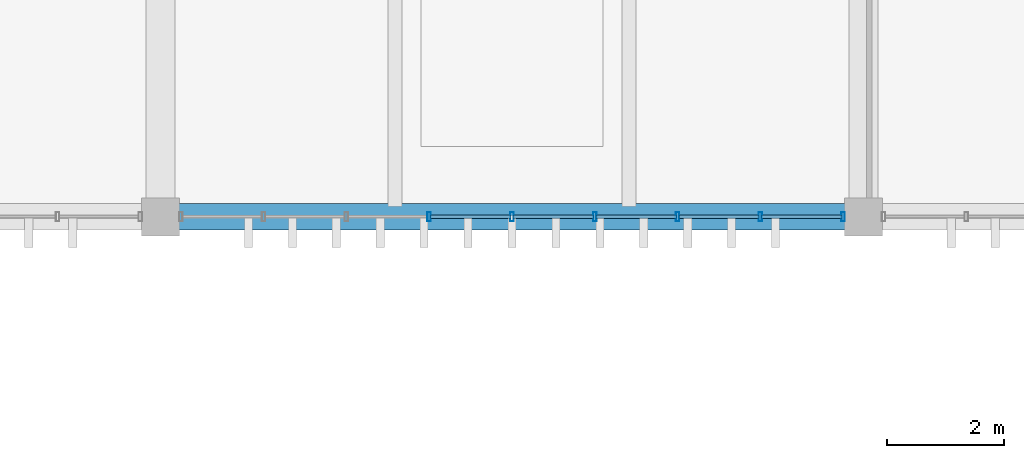
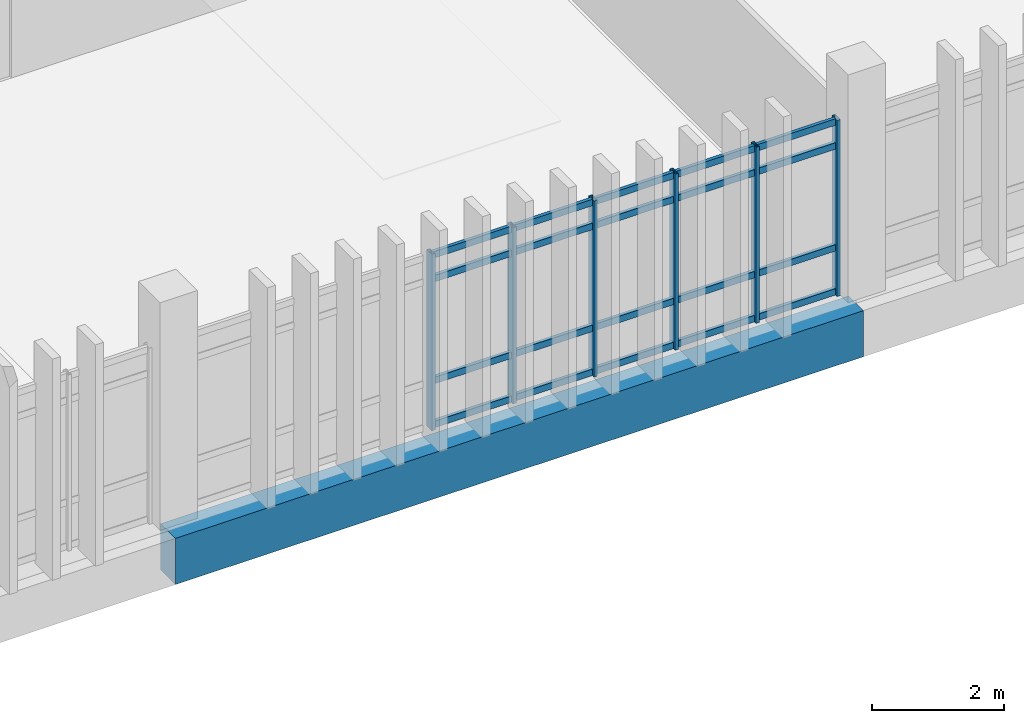
# One storey, part 17 of 82: 26 members, 1 beam, 1 element without a shape of its own.
"""IFC4 building model written with IfcOpenShell, lengths in metres."""

from ifc_helpers import new_model, si_unit, direction, frame, origin, origin_2d, place, context, subcontext, project, spatial, rectangle, hollow_rectangle, extrude, material, layer, layer_set, material_profile, profile_set, type_object, element, aggregate, save


model = new_model("IFC4")

# Units and contexts
model_context = context("Model", 3, precision=1e-05, world=origin(), true_north=direction((0.0, 1.0)))
body_context = subcontext(model_context, "Body", "Model", "MODEL_VIEW")
ifc_project = project(units=[si_unit("LENGTHUNIT", "METRE"), si_unit("AREAUNIT", "SQUARE_METRE"), si_unit("VOLUMEUNIT", "CUBIC_METRE"), si_unit("PLANEANGLEUNIT", "RADIAN"), si_unit("MASSUNIT", "GRAM", prefix="KILO")], contexts=[model_context])

# Site, building, storey
site_placement = place(None, origin())
site = spatial("IfcSite", under=ifc_project, at=site_placement, CompositionType="ELEMENT")
building_placement = place(site_placement, origin())
building = spatial("IfcBuilding", under=site, at=building_placement, Name="Mersad Railyard Sports Hall", CompositionType="ELEMENT")
storey_placement = place(building_placement, frame((0.0, 0.0, 13.199951171875)))
storey = spatial("IfcBuildingStorey", under=building, at=storey_placement, Name="L03", CompositionType="ELEMENT", Elevation=13.199951171875)

# Curtain wall, members
ifc_material_1 = material(Name="Aluminium 6063-T6", Category="aluminium")
ifc_layer = layer(ifc_material_1, 0.159912109375)
ifc_layer_set = layer_set([ifc_layer], Name="Aluminium 6063-T6")
curtain_wall_type = type_object("IfcCurtainWallType", Name="ARC-CW-CW59", PredefinedType="USERDEFINED", material=ifc_layer_set)
curtain_wall_placement = place(storey_placement, origin())
curtain_wall = element("IfcCurtainWall", 1, at=curtain_wall_placement, inside=storey, type_object=curtain_wall_type, Name="Curtain wall CW59-0156", ObjectType="CURTAIN WALL", PredefinedType="USERDEFINED")
ifc_material_profile_1 = material_profile(ifc_material_1, hollow_rectangle(XDim=0.06005859375, YDim=0.159912109375, WallThickness=0.00390625, at=origin_2d()), Name="AL MULLION 60x160x4")
ifc_profile_set_1 = profile_set([ifc_material_profile_1], Name="Aluminium 6063-T6")
member_type_1 = type_object("IfcMemberType", Name="ARC-CW-MUL01", PredefinedType="MULLION", material=ifc_profile_set_1)
member_1_placement = place(storey_placement, frame((78.655029296875, 85.0, -0.02001953125), z_axis=(0.0, 0.0, 1.0), x_axis=(1.0, 0.0, 0.0)))
member_1 = element("IfcMember", 2, at=member_1_placement, type_object=member_type_1, Name="CW59 Mullion 1", PredefinedType="MULLION", context=body_context, shape_type="SweptSolid", body=[
    extrude(hollow_rectangle(XDim=0.06005859375, YDim=0.159912109375, WallThickness=0.00390625, at=origin_2d()), origin(), (0.0, 0.0, 1.0), 3.25),
])
member_2_placement = place(storey_placement, frame((77.2412109375, 85.0, -0.02001953125), z_axis=(0.0, 0.0, 1.0), x_axis=(1.0, 0.0, 0.0)))
member_2 = element("IfcMember", 3, at=member_2_placement, type_object=member_type_1, Name="CW59 Mullion 2", PredefinedType="MULLION", context=body_context, shape_type="SweptSolid", body=[
    extrude(hollow_rectangle(XDim=0.06005859375, YDim=0.159912109375, WallThickness=0.00390625, at=origin_2d()), origin(), (0.0, 0.0, 1.0), 3.25),
])
member_3_placement = place(storey_placement, frame((75.827392578125, 85.0, -0.02001953125), z_axis=(0.0, 0.0, 1.0), x_axis=(1.0, 0.0, 0.0)))
member_3 = element("IfcMember", 4, at=member_3_placement, type_object=member_type_1, Name="CW59 Mullion 3", PredefinedType="MULLION", context=body_context, shape_type="SweptSolid", body=[
    extrude(hollow_rectangle(XDim=0.06005859375, YDim=0.159912109375, WallThickness=0.00390625, at=origin_2d()), origin(), (0.0, 0.0, 1.0), 3.25),
])
member_4_placement = place(storey_placement, frame((74.413818359375, 85.0, -0.02001953125), z_axis=(0.0, 0.0, 1.0), x_axis=(1.0, 0.0, 0.0)))
member_4 = element("IfcMember", 5, at=member_4_placement, type_object=member_type_1, Name="CW59 Mullion 4", PredefinedType="MULLION", context=body_context, shape_type="SweptSolid", body=[
    extrude(hollow_rectangle(XDim=0.06005859375, YDim=0.159912109375, WallThickness=0.00390625, at=origin_2d()), origin(), (0.0, 0.0, 1.0), 3.25),
])
member_5_placement = place(storey_placement, frame((73.0, 85.0, -0.02001953125), z_axis=(0.0, 0.0, 1.0), x_axis=(1.0, 0.0, 0.0)))
member_5 = element("IfcMember", 6, at=member_5_placement, type_object=member_type_1, Name="CW59 Mullion 5", PredefinedType="MULLION", context=body_context, shape_type="SweptSolid", body=[
    extrude(hollow_rectangle(XDim=0.06005859375, YDim=0.159912109375, WallThickness=0.00390625, at=origin_2d()), origin(), (0.0, 0.0, 1.0), 3.25),
])
member_6_placement = place(storey_placement, frame((71.586181640625, 85.0, -0.02001953125), z_axis=(0.0, 0.0, 1.0), x_axis=(1.0, 0.0, 0.0)))
member_6 = element("IfcMember", 7, at=member_6_placement, type_object=member_type_1, Name="CW59 Mullion 6", PredefinedType="MULLION", context=body_context, shape_type="SweptSolid", body=[
    extrude(hollow_rectangle(XDim=0.06005859375, YDim=0.159912109375, WallThickness=0.00390625, at=origin_2d()), origin(), (0.0, 0.0, 1.0), 3.25),
])
ifc_material_profile_2 = material_profile(ifc_material_1, hollow_rectangle(XDim=0.06005859375, YDim=0.1201171875, WallThickness=0.00390625, at=origin_2d()), Name="AL TRANSOM 60x120x4")
ifc_profile_set_2 = profile_set([ifc_material_profile_2], Name="Aluminium 6063-T6")
member_type_2 = type_object("IfcMemberType", Name="ARC-CW-TRN01", PredefinedType="USERDEFINED", material=ifc_profile_set_2)
member_7_placement = place(storey_placement, frame((78.635009765625, 85.0, 0.0400390625), z_axis=(-1.0, 0.0, 0.0), x_axis=(0.0, -1.0, 0.0)))
member_7 = element("IfcMember", 8, at=member_7_placement, type_object=member_type_2, Name="CW59 Transom 1-1", ObjectType="TRANSOM", PredefinedType="USERDEFINED", context=body_context, shape_type="SweptSolid", body=[
    extrude(hollow_rectangle(XDim=0.06005859375, YDim=0.1201171875, WallThickness=0.00390625, at=origin_2d()), origin(), (0.0, 0.0, 1.0), 1.373779296875),
])
member_8_placement = place(storey_placement, frame((77.22119140625, 85.0, 0.0400390625), z_axis=(-1.0, 0.0, 0.0), x_axis=(0.0, -1.0, 0.0)))
member_8 = element("IfcMember", 9, at=member_8_placement, type_object=member_type_2, Name="CW59 Transom 1-2", ObjectType="TRANSOM", PredefinedType="USERDEFINED", context=body_context, shape_type="SweptSolid", body=[
    extrude(hollow_rectangle(XDim=0.06005859375, YDim=0.1201171875, WallThickness=0.00390625, at=origin_2d()), origin(), (0.0, 0.0, 1.0), 1.373779296875),
])
member_9_placement = place(storey_placement, frame((75.8076171875, 85.0, 0.0400390625), z_axis=(-1.0, 0.0, 0.0), x_axis=(0.0, -1.0, 0.0)))
member_9 = element("IfcMember", 10, at=member_9_placement, type_object=member_type_2, Name="CW59 Transom 1-3", ObjectType="TRANSOM", PredefinedType="USERDEFINED", context=body_context, shape_type="SweptSolid", body=[
    extrude(hollow_rectangle(XDim=0.06005859375, YDim=0.1201171875, WallThickness=0.00390625, at=origin_2d()), origin(), (0.0, 0.0, 1.0), 1.373779296875),
])
member_10_placement = place(storey_placement, frame((74.393798828125, 85.0, 0.0400390625), z_axis=(-1.0, 0.0, 0.0), x_axis=(0.0, -1.0, 0.0)))
member_10 = element("IfcMember", 11, at=member_10_placement, type_object=member_type_2, Name="CW59 Transom 1-4", ObjectType="TRANSOM", PredefinedType="USERDEFINED", context=body_context, shape_type="SweptSolid", body=[
    extrude(hollow_rectangle(XDim=0.06005859375, YDim=0.1201171875, WallThickness=0.00390625, at=origin_2d()), origin(), (0.0, 0.0, 1.0), 1.373779296875),
])
member_11_placement = place(storey_placement, frame((72.97998046875, 85.0, 0.0400390625), z_axis=(-1.0, 0.0, 0.0), x_axis=(0.0, -1.0, 0.0)))
member_11 = element("IfcMember", 12, at=member_11_placement, type_object=member_type_2, Name="CW59 Transom 1-5", ObjectType="TRANSOM", PredefinedType="USERDEFINED", context=body_context, shape_type="SweptSolid", body=[
    extrude(hollow_rectangle(XDim=0.06005859375, YDim=0.1201171875, WallThickness=0.00390625, at=origin_2d()), origin(), (0.0, 0.0, 1.0), 1.373779296875),
])
member_12_placement = place(storey_placement, frame((78.635009765625, 85.0, 0.85009765625), z_axis=(-1.0, 0.0, 0.0), x_axis=(0.0, -1.0, 0.0)))
member_12 = element("IfcMember", 13, at=member_12_placement, type_object=member_type_2, Name="CW59 Transom 2-1", ObjectType="TRANSOM", PredefinedType="USERDEFINED", context=body_context, shape_type="SweptSolid", body=[
    extrude(hollow_rectangle(XDim=0.06005859375, YDim=0.1201171875, WallThickness=0.00390625, at=origin_2d()), origin(), (0.0, 0.0, 1.0), 1.373779296875),
])
member_13_placement = place(storey_placement, frame((77.22119140625, 85.0, 0.85009765625), z_axis=(-1.0, 0.0, 0.0), x_axis=(0.0, -1.0, 0.0)))
member_13 = element("IfcMember", 14, at=member_13_placement, type_object=member_type_2, Name="CW59 Transom 2-2", ObjectType="TRANSOM", PredefinedType="USERDEFINED", context=body_context, shape_type="SweptSolid", body=[
    extrude(hollow_rectangle(XDim=0.06005859375, YDim=0.1201171875, WallThickness=0.00390625, at=origin_2d()), origin(), (0.0, 0.0, 1.0), 1.373779296875),
])
member_14_placement = place(storey_placement, frame((75.8076171875, 85.0, 0.85009765625), z_axis=(-1.0, 0.0, 0.0), x_axis=(0.0, -1.0, 0.0)))
member_14 = element("IfcMember", 15, at=member_14_placement, type_object=member_type_2, Name="CW59 Transom 2-3", ObjectType="TRANSOM", PredefinedType="USERDEFINED", context=body_context, shape_type="SweptSolid", body=[
    extrude(hollow_rectangle(XDim=0.06005859375, YDim=0.1201171875, WallThickness=0.00390625, at=origin_2d()), origin(), (0.0, 0.0, 1.0), 1.373779296875),
])
member_15_placement = place(storey_placement, frame((74.393798828125, 85.0, 0.85009765625), z_axis=(-1.0, 0.0, 0.0), x_axis=(0.0, -1.0, 0.0)))
member_15 = element("IfcMember", 16, at=member_15_placement, type_object=member_type_2, Name="CW59 Transom 2-4", ObjectType="TRANSOM", PredefinedType="USERDEFINED", context=body_context, shape_type="SweptSolid", body=[
    extrude(hollow_rectangle(XDim=0.06005859375, YDim=0.1201171875, WallThickness=0.00390625, at=origin_2d()), origin(), (0.0, 0.0, 1.0), 1.373779296875),
])
member_16_placement = place(storey_placement, frame((72.97998046875, 85.0, 0.85009765625), z_axis=(-1.0, 0.0, 0.0), x_axis=(0.0, -1.0, 0.0)))
member_16 = element("IfcMember", 17, at=member_16_placement, type_object=member_type_2, Name="CW59 Transom 2-5", ObjectType="TRANSOM", PredefinedType="USERDEFINED", context=body_context, shape_type="SweptSolid", body=[
    extrude(hollow_rectangle(XDim=0.06005859375, YDim=0.1201171875, WallThickness=0.00390625, at=origin_2d()), origin(), (0.0, 0.0, 1.0), 1.373779296875),
])
member_17_placement = place(storey_placement, frame((78.635009765625, 85.0, 2.72998046875), z_axis=(-1.0, 0.0, 0.0), x_axis=(0.0, -1.0, 0.0)))
member_17 = element("IfcMember", 18, at=member_17_placement, type_object=member_type_2, Name="CW59 Transom 3-1", ObjectType="TRANSOM", PredefinedType="USERDEFINED", context=body_context, shape_type="SweptSolid", body=[
    extrude(hollow_rectangle(XDim=0.06005859375, YDim=0.1201171875, WallThickness=0.00390625, at=origin_2d()), origin(), (0.0, 0.0, 1.0), 1.373779296875),
])
member_18_placement = place(storey_placement, frame((77.22119140625, 85.0, 2.72998046875), z_axis=(-1.0, 0.0, 0.0), x_axis=(0.0, -1.0, 0.0)))
member_18 = element("IfcMember", 19, at=member_18_placement, type_object=member_type_2, Name="CW59 Transom 3-2", ObjectType="TRANSOM", PredefinedType="USERDEFINED", context=body_context, shape_type="SweptSolid", body=[
    extrude(hollow_rectangle(XDim=0.06005859375, YDim=0.1201171875, WallThickness=0.00390625, at=origin_2d()), origin(), (0.0, 0.0, 1.0), 1.373779296875),
])
member_19_placement = place(storey_placement, frame((75.8076171875, 85.0, 2.72998046875), z_axis=(-1.0, 0.0, 0.0), x_axis=(0.0, -1.0, 0.0)))
member_19 = element("IfcMember", 20, at=member_19_placement, type_object=member_type_2, Name="CW59 Transom 3-3", ObjectType="TRANSOM", PredefinedType="USERDEFINED", context=body_context, shape_type="SweptSolid", body=[
    extrude(hollow_rectangle(XDim=0.06005859375, YDim=0.1201171875, WallThickness=0.00390625, at=origin_2d()), origin(), (0.0, 0.0, 1.0), 1.373779296875),
])
member_20_placement = place(storey_placement, frame((74.393798828125, 85.0, 2.72998046875), z_axis=(-1.0, 0.0, 0.0), x_axis=(0.0, -1.0, 0.0)))
member_20 = element("IfcMember", 21, at=member_20_placement, type_object=member_type_2, Name="CW59 Transom 3-4", ObjectType="TRANSOM", PredefinedType="USERDEFINED", context=body_context, shape_type="SweptSolid", body=[
    extrude(hollow_rectangle(XDim=0.06005859375, YDim=0.1201171875, WallThickness=0.00390625, at=origin_2d()), origin(), (0.0, 0.0, 1.0), 1.373779296875),
])
member_21_placement = place(storey_placement, frame((72.97998046875, 85.0, 2.72998046875), z_axis=(-1.0, 0.0, 0.0), x_axis=(0.0, -1.0, 0.0)))
member_21 = element("IfcMember", 22, at=member_21_placement, type_object=member_type_2, Name="CW59 Transom 3-5", ObjectType="TRANSOM", PredefinedType="USERDEFINED", context=body_context, shape_type="SweptSolid", body=[
    extrude(hollow_rectangle(XDim=0.06005859375, YDim=0.1201171875, WallThickness=0.00390625, at=origin_2d()), origin(), (0.0, 0.0, 1.0), 1.373779296875),
])
member_22_placement = place(storey_placement, frame((78.635009765625, 85.0, 3.170166015625), z_axis=(-1.0, 0.0, 0.0), x_axis=(0.0, -1.0, 0.0)))
member_22 = element("IfcMember", 23, at=member_22_placement, type_object=member_type_2, Name="CW59 Transom 4-1", ObjectType="TRANSOM", PredefinedType="USERDEFINED", context=body_context, shape_type="SweptSolid", body=[
    extrude(hollow_rectangle(XDim=0.06005859375, YDim=0.1201171875, WallThickness=0.00390625, at=origin_2d()), origin(), (0.0, 0.0, 1.0), 1.373779296875),
])
member_23_placement = place(storey_placement, frame((77.22119140625, 85.0, 3.170166015625), z_axis=(-1.0, 0.0, 0.0), x_axis=(0.0, -1.0, 0.0)))
member_23 = element("IfcMember", 24, at=member_23_placement, type_object=member_type_2, Name="CW59 Transom 4-2", ObjectType="TRANSOM", PredefinedType="USERDEFINED", context=body_context, shape_type="SweptSolid", body=[
    extrude(hollow_rectangle(XDim=0.06005859375, YDim=0.1201171875, WallThickness=0.00390625, at=origin_2d()), origin(), (0.0, 0.0, 1.0), 1.373779296875),
])
member_24_placement = place(storey_placement, frame((75.8076171875, 85.0, 3.170166015625), z_axis=(-1.0, 0.0, 0.0), x_axis=(0.0, -1.0, 0.0)))
member_24 = element("IfcMember", 25, at=member_24_placement, type_object=member_type_2, Name="CW59 Transom 4-3", ObjectType="TRANSOM", PredefinedType="USERDEFINED", context=body_context, shape_type="SweptSolid", body=[
    extrude(hollow_rectangle(XDim=0.06005859375, YDim=0.1201171875, WallThickness=0.00390625, at=origin_2d()), origin(), (0.0, 0.0, 1.0), 1.373779296875),
])
member_25_placement = place(storey_placement, frame((74.393798828125, 85.0, 3.170166015625), z_axis=(-1.0, 0.0, 0.0), x_axis=(0.0, -1.0, 0.0)))
member_25 = element("IfcMember", 26, at=member_25_placement, type_object=member_type_2, Name="CW59 Transom 4-4", ObjectType="TRANSOM", PredefinedType="USERDEFINED", context=body_context, shape_type="SweptSolid", body=[
    extrude(hollow_rectangle(XDim=0.06005859375, YDim=0.1201171875, WallThickness=0.00390625, at=origin_2d()), origin(), (0.0, 0.0, 1.0), 1.373779296875),
])
member_26_placement = place(storey_placement, frame((72.97998046875, 85.0, 3.170166015625), z_axis=(-1.0, 0.0, 0.0), x_axis=(0.0, -1.0, 0.0)))
member_26 = element("IfcMember", 27, at=member_26_placement, type_object=member_type_2, Name="CW59 Transom 4-5", ObjectType="TRANSOM", PredefinedType="USERDEFINED", context=body_context, shape_type="SweptSolid", body=[
    extrude(hollow_rectangle(XDim=0.06005859375, YDim=0.1201171875, WallThickness=0.00390625, at=origin_2d()), origin(), (0.0, 0.0, 1.0), 1.373779296875),
])
aggregate(curtain_wall, [member_1, member_2, member_3, member_4, member_5, member_6, member_7, member_8, member_9, member_10, member_11, member_12, member_13, member_14, member_15, member_16, member_17, member_18, member_19, member_20, member_21, member_22, member_23, member_24, member_25, member_26])

# Beam
ifc_material_2 = material(Name="Concrete C40/50", Category="concrete")
ifc_material_profile_3 = material_profile(ifc_material_2, rectangle(XDim=0.449951171875, YDim=0.85009765625, at=origin_2d()), Name="RC 450x850")
ifc_profile_set_3 = profile_set([ifc_material_profile_3], Name="Concrete C40/50")
beam_type = type_object("IfcBeamType", Name="STR-BM-B02", PredefinedType="BEAM", material=ifc_profile_set_3)
beam_placement = place(storey_placement, frame((67.0, 85.0, -0.744873046875), z_axis=(1.0, 0.0, 0.0), x_axis=(0.0, 1.0, 0.0)))
element("IfcBeam", 28, at=beam_placement, inside=storey, type_object=beam_type, Name="Beam B02-1214", PredefinedType="BEAM", context=body_context, shape_type="SweptSolid", body=[
    extrude(rectangle(XDim=0.449951171875, YDim=0.85009765625, at=origin_2d()), origin(), (0.0, 0.0, 1.0), 12.0),
])

save(model, "model.ifc")
